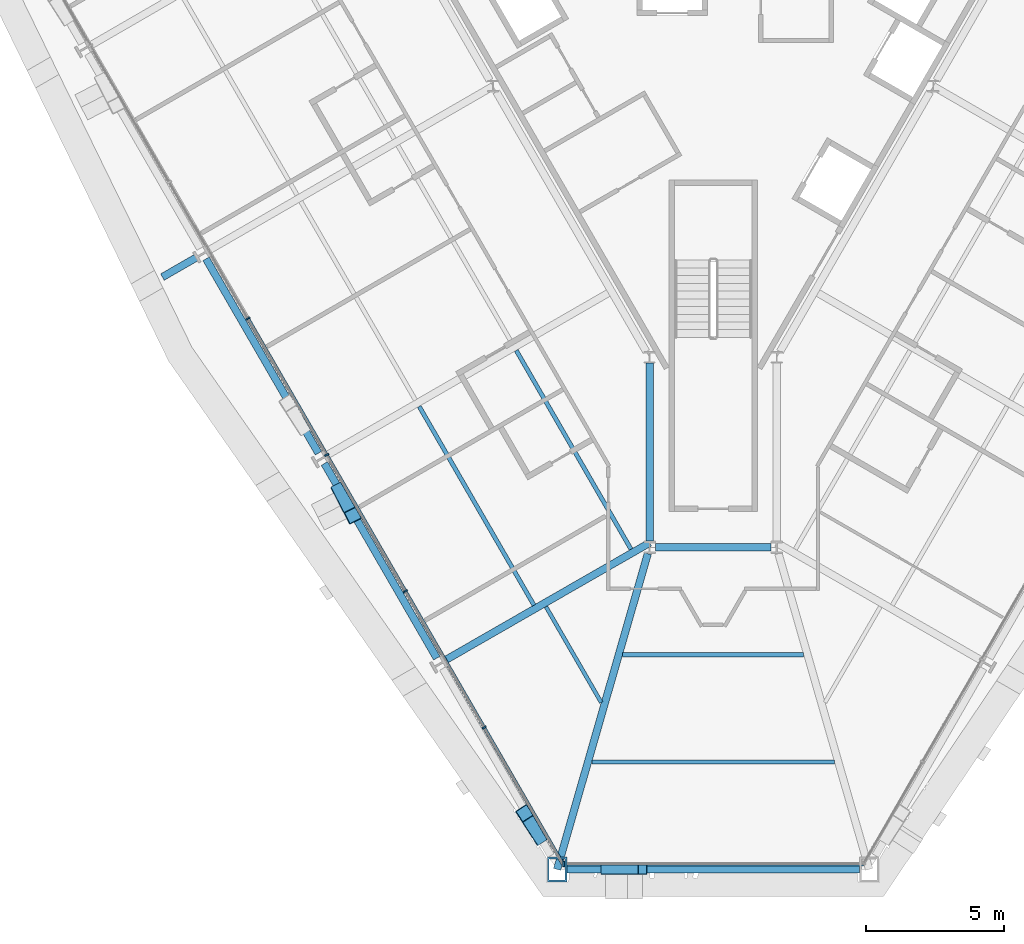
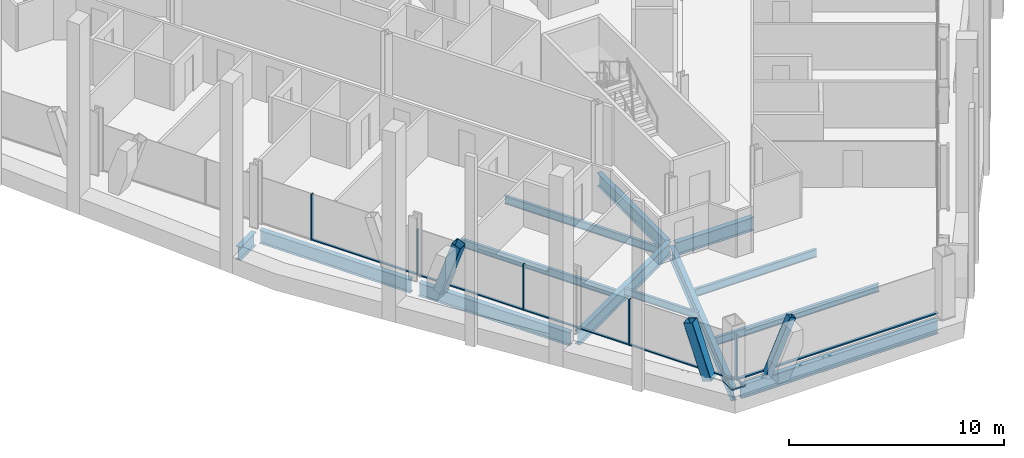
# One storey, part 3 of 21: 14 members, 13 beams, 2 elements without a shape of their own.
"""IFC4 building model written with IfcOpenShell, lengths in metres."""

from ifc_helpers import new_model, si_unit, direction, frame, origin, origin_2d, place, context, subcontext, project, spatial, rectangle, hollow_rectangle, i_section, extrude, material, material_profile, profile_set, type_object, element, aggregate, save


model = new_model("IFC4")

# Units and contexts
model_context = context("Model", 3, precision=1e-05, world=origin(), true_north=direction((0.0, 1.0)))
body_context = subcontext(model_context, "Body", "Model", "MODEL_VIEW")
ifc_project = project(units=[si_unit("LENGTHUNIT", "METRE"), si_unit("AREAUNIT", "SQUARE_METRE"), si_unit("VOLUMEUNIT", "CUBIC_METRE"), si_unit("PLANEANGLEUNIT", "RADIAN"), si_unit("MASSUNIT", "GRAM", prefix="KILO")], contexts=[model_context])

# Site, building, storey
site_placement = place(None, origin())
site = spatial("IfcSite", under=ifc_project, at=site_placement, CompositionType="ELEMENT")
building_placement = place(site_placement, origin())
building = spatial("IfcBuilding", under=site, at=building_placement, Name="Verrane Prism Tower", CompositionType="ELEMENT")
storey_placement = place(building_placement, frame((0.0, 0.0, 65.60009765625)))
storey = spatial("IfcBuildingStorey", under=building, at=storey_placement, Name="L14", CompositionType="ELEMENT", Elevation=65.60009765625)

# Member
ifc_material_1 = material(Name="Steel A500 Grade C", Category="steel")
ifc_material_profile_1 = material_profile(ifc_material_1, hollow_rectangle(XDim=0.355712890625, YDim=0.355712890625, WallThickness=0.0126953125, InnerFilletRadius=0.00634765625, OuterFilletRadius=0.01904296875, at=origin_2d()), Name="HSS14x14x1/2")
ifc_profile_set_1 = profile_set([ifc_material_profile_1], Name="Steel A500 Grade C")
member_type_1 = type_object("IfcMemberType", Name="Chamfer brace HSS14x14x1/2", PredefinedType="BRACE", material=ifc_profile_set_1)
member_1_placement = place(storey_placement, frame((-3.90185546875, -32.9599609375, -0.2451171875), z_axis=(0.409130455013, 0.0, 0.91247590148), x_axis=(0.0, 1.0, 0.0)))
element("IfcMember", 1, at=member_1_placement, inside=storey, type_object=member_type_1, Name="Chamfer brace S0 L14", PredefinedType="BRACE", context=body_context, shape_type="SweptSolid", body=[
    extrude(hollow_rectangle(XDim=0.355712890625, YDim=0.355712890625, WallThickness=0.0126953125, InnerFilletRadius=0.00634765625, OuterFilletRadius=0.01904296875, at=origin_2d()), origin(), (0.0, 0.0, 1.0), 3.291015625),
])

# Beams
ifc_material_2 = material(Name="Steel A992", Category="steel")
ifc_material_profile_2 = material_profile(ifc_material_2, i_section(OverallWidth=0.2666015625, OverallDepth=0.76708984375, WebThickness=0.014892578125, FlangeThickness=0.023681640625, FilletRadius=0.0166015625, at=origin_2d()), Name="W30x124")
ifc_profile_set_2 = profile_set([ifc_material_profile_2], Name="Steel A992")
beam_type_1 = type_object("IfcBeamType", Name="Chamfer spandrel beam W30x124", PredefinedType="SPANDREL", material=ifc_profile_set_2)
beam_1_placement = place(storey_placement, frame((-5.300048828125, -32.9599609375, -0.543701171875), z_axis=(1.0, 0.0, 0.0), x_axis=(0.0, 1.0, 0.0)))
element("IfcBeam", 2, at=beam_1_placement, inside=storey, type_object=beam_type_1, Name="Chamfer spandrel beam L14", PredefinedType="SPANDREL", context=body_context, shape_type="SweptSolid", body=[
    extrude(i_section(OverallWidth=0.2666015625, OverallDepth=0.76708984375, WebThickness=0.014892578125, FlangeThickness=0.023681640625, FilletRadius=0.0166015625, at=origin_2d()), origin(), (0.0, 0.0, 1.0), 10.60009765625),
])
ifc_material_3 = material(Name="Steel A992", Category="steel")
ifc_material_profile_3 = material_profile(ifc_material_3, i_section(OverallWidth=0.2666015625, OverallDepth=0.7568359375, WebThickness=0.013916015625, FlangeThickness=0.019287109375, FilletRadius=0.0166015625, at=origin_2d()), Name="W30x108")
ifc_profile_set_3 = profile_set([ifc_material_profile_3], Name="Steel A992")
beam_type_2 = type_object("IfcBeamType", Name="Core ring girder W30x108", PredefinedType="BEAM", material=ifc_profile_set_3)
beam_2_placement = place(storey_placement, frame((-2.300048828125, -14.62841796875, -0.628662109375), z_axis=(0.0, -1.0, 0.0), x_axis=(1.0, 0.0, 0.0)))
element("IfcBeam", 3, at=beam_2_placement, inside=storey, type_object=beam_type_2, Name="Core ring girder L14", PredefinedType="BEAM", context=body_context, shape_type="SweptSolid", body=[
    extrude(i_section(OverallWidth=0.2666015625, OverallDepth=0.7568359375, WebThickness=0.013916015625, FlangeThickness=0.019287109375, FilletRadius=0.0166015625, at=origin_2d()), origin(), (0.0, 0.0, 1.0), 6.4443359375),
])
beam_3_placement = place(storey_placement, frame((-2.09033203125, -21.300048828125, -0.628662109375), z_axis=(1.0, 0.0, 0.0), x_axis=(0.0, 1.0, 0.0)))
element("IfcBeam", 4, at=beam_3_placement, inside=storey, type_object=beam_type_2, Name="Core ring girder L14", PredefinedType="BEAM", context=body_context, shape_type="SweptSolid", body=[
    extrude(i_section(OverallWidth=0.2666015625, OverallDepth=0.7568359375, WebThickness=0.013916015625, FlangeThickness=0.019287109375, FilletRadius=0.0166015625, at=origin_2d()), origin(), (0.0, 0.0, 1.0), 4.1806640625),
])
ifc_material_4 = material(Name="Steel A992", Category="steel")
ifc_material_profile_4 = material_profile(ifc_material_4, i_section(OverallWidth=0.2666015625, OverallDepth=0.76708984375, WebThickness=0.014892578125, FlangeThickness=0.023681640625, FilletRadius=0.0166015625, at=origin_2d()), Name="W30x124")
ifc_profile_set_4 = profile_set([ifc_material_profile_4], Name="Steel A992")
beam_type_3 = type_object("IfcBeamType", Name="Corner girder W30x124", PredefinedType="BEAM", material=ifc_profile_set_4)
beam_4_placement = place(storey_placement, frame((-5.64892578125, -32.95654296875, -0.603515625), z_axis=(0.276136278025, 0.961118492153, 0.0), x_axis=(-0.961118492153, 0.276136278025, 0.0)))
element("IfcBeam", 5, at=beam_4_placement, inside=storey, type_object=beam_type_3, Name="Corner girder L14", PredefinedType="BEAM", context=body_context, shape_type="SweptSolid", body=[
    extrude(i_section(OverallWidth=0.2666015625, OverallDepth=0.76708984375, WebThickness=0.014892578125, FlangeThickness=0.023681640625, FilletRadius=0.0166015625, at=origin_2d()), origin(), (0.0, 0.0, 1.0), 11.8916015625),
])

# Members
ifc_material_5 = material(Name="Steel A1085 Grade A", Category="steel")
ifc_material_profile_5 = material_profile(ifc_material_5, hollow_rectangle(XDim=0.508056640625, YDim=0.508056640625, WallThickness=0.025390625, InnerFilletRadius=0.0126953125, OuterFilletRadius=0.0380859375, at=origin_2d()), Name="HSS20x20x1")
ifc_profile_set_5 = profile_set([ifc_material_profile_5], Name="Steel A1085 Grade A")
member_type_2 = type_object("IfcMemberType", Name="Facade brace HSS20x20x1", PredefinedType="BRACE", material=ifc_profile_set_5)
member_2_placement = place(storey_placement, frame((-13.51806640625, -19.224365234375, -0.24267578125), z_axis=(0.148660881404, -0.289339970517, 0.945612142372), x_axis=(0.889465940848, 0.45700146616, 0.0)))
element("IfcMember", 6, at=member_2_placement, inside=storey, type_object=member_type_2, Name="Facade brace SW4 L14", PredefinedType="BRACE", context=body_context, shape_type="SweptSolid", body=[
    extrude(hollow_rectangle(XDim=0.508056640625, YDim=0.508056640625, WallThickness=0.025390625, InnerFilletRadius=0.0126953125, OuterFilletRadius=0.0380859375, at=origin_2d()), origin(), (0.0, 0.0, 1.0), 3.18115234375),
])
member_3_placement = place(storey_placement, frame((-6.279541015625, -31.76513671875, -0.24267578125), z_axis=(-0.171660189078, 0.264921960712, 0.948867290098), x_axis=(-0.839223086477, -0.543787284813, 0.0)))
element("IfcMember", 7, at=member_3_placement, inside=storey, type_object=member_type_2, Name="Facade brace SW5 L14", PredefinedType="BRACE", context=body_context, shape_type="SweptSolid", body=[
    extrude(hollow_rectangle(XDim=0.508056640625, YDim=0.508056640625, WallThickness=0.025390625, InnerFilletRadius=0.0126953125, OuterFilletRadius=0.0380859375, at=origin_2d()), origin(), (0.0, 0.0, 1.0), 3.170166015625),
])

# Beams
ifc_material_6 = material(Name="Steel A992", Category="steel")
ifc_material_profile_6 = material_profile(ifc_material_6, i_section(OverallWidth=0.140380859375, OverallDepth=0.40380859375, WebThickness=0.007080078125, FlangeThickness=0.01123046875, FilletRadius=0.01025390625, at=origin_2d()), Name="W16x31")
ifc_profile_set_6 = profile_set([ifc_material_profile_6], Name="Steel A992")
beam_type_4 = type_object("IfcBeamType", Name="Floor beam W16x31", PredefinedType="BEAM", material=ifc_profile_set_6)
beam_5_placement = place(storey_placement, frame((-4.051513671875, -26.91259765625, -0.362060546875), z_axis=(-0.499995658264, 0.866027910472, 0.0), x_axis=(-0.866027910472, -0.499995658264, 0.0)))
element("IfcBeam", 8, at=beam_5_placement, inside=storey, type_object=beam_type_4, Name="Floor beam L14", PredefinedType="BEAM", context=body_context, shape_type="SweptSolid", body=[
    extrude(i_section(OverallWidth=0.140380859375, OverallDepth=0.40380859375, WebThickness=0.007080078125, FlangeThickness=0.01123046875, FilletRadius=0.01025390625, at=origin_2d()), origin(), (0.0, 0.0, 1.0), 3.99658203125),
])
ifc_material_7 = material(Name="Steel A992", Category="steel")
ifc_material_profile_7 = material_profile(ifc_material_7, i_section(OverallWidth=0.15234375, OverallDepth=0.449462890625, WebThickness=0.007568359375, FlangeThickness=0.0107421875, FilletRadius=0.01025390625, at=origin_2d()), Name="W18x35")
ifc_profile_set_7 = profile_set([ifc_material_profile_7], Name="Steel A992")
beam_type_5 = type_object("IfcBeamType", Name="Floor beam W18x35", PredefinedType="BEAM", material=ifc_profile_set_7)
beam_6_placement = place(storey_placement, frame((-2.9736328125, -21.365234375, -0.385009765625), z_axis=(-0.499989616998, 0.866031398331, 0.0), x_axis=(-0.866031398331, -0.499989616998, 0.0)))
element("IfcBeam", 9, at=beam_6_placement, inside=storey, type_object=beam_type_5, Name="Floor beam L14", PredefinedType="BEAM", context=body_context, shape_type="SweptSolid", body=[
    extrude(i_section(OverallWidth=0.15234375, OverallDepth=0.449462890625, WebThickness=0.007568359375, FlangeThickness=0.0107421875, FilletRadius=0.01025390625, at=origin_2d()), origin(), (0.0, 0.0, 1.0), 8.305908203125),
])
beam_7_placement = place(storey_placement, frame((-6.4853515625, -23.394775390625, -0.385009765625), z_axis=(-0.50000392623, 0.866023136963, 0.0), x_axis=(-0.866023136963, -0.50000392623, 0.0)))
element("IfcBeam", 10, at=beam_7_placement, inside=storey, type_object=beam_type_5, Name="Floor beam L14", PredefinedType="BEAM", context=body_context, shape_type="SweptSolid", body=[
    extrude(i_section(OverallWidth=0.15234375, OverallDepth=0.449462890625, WebThickness=0.007568359375, FlangeThickness=0.0107421875, FilletRadius=0.01025390625, at=origin_2d()), origin(), (0.0, 0.0, 1.0), 8.30908203125),
])
beam_8_placement = place(storey_placement, frame((-4.394287109375, -29.0732421875, -0.385009765625), z_axis=(1.0, 0.0, 0.0), x_axis=(0.0, 1.0, 0.0)))
element("IfcBeam", 11, at=beam_8_placement, inside=storey, type_object=beam_type_5, Name="Floor beam L14", PredefinedType="BEAM", context=body_context, shape_type="SweptSolid", body=[
    extrude(i_section(OverallWidth=0.15234375, OverallDepth=0.449462890625, WebThickness=0.007568359375, FlangeThickness=0.0107421875, FilletRadius=0.01025390625, at=origin_2d()), origin(), (0.0, 0.0, 1.0), 8.78857421875),
])
beam_9_placement = place(storey_placement, frame((-3.27783203125, -25.186767578125, -0.385009765625), z_axis=(1.0, 0.0, 0.0), x_axis=(0.0, 1.0, 0.0)))
element("IfcBeam", 12, at=beam_9_placement, inside=storey, type_object=beam_type_5, Name="Floor beam L14", PredefinedType="BEAM", context=body_context, shape_type="SweptSolid", body=[
    extrude(i_section(OverallWidth=0.15234375, OverallDepth=0.449462890625, WebThickness=0.007568359375, FlangeThickness=0.0107421875, FilletRadius=0.01025390625, at=origin_2d()), origin(), (0.0, 0.0, 1.0), 6.5556640625),
])

# Member
ifc_material_8 = material(Name="Steel A572 Grade 50", Category="steel")
ifc_material_profile_8 = material_profile(ifc_material_8, hollow_rectangle(XDim=0.699951171875, YDim=0.89990234375, WallThickness=0.06494140625, at=origin_2d()), Name="BOX 900x700x65")
ifc_profile_set_8 = profile_set([ifc_material_profile_8], Name="Steel A572 Grade 50")
member_type_3 = type_object("IfcMemberType", Name="Kink node BOX 900x700x65", PredefinedType="COLLAR", material=ifc_profile_set_8)
member_4_placement = place(storey_placement, frame((-5.64892578125, -32.958251953125, -0.0400390625), z_axis=(0.0, 0.0, 1.0), x_axis=(-1.0, 0.0, 0.0)))
element("IfcMember", 13, at=member_4_placement, inside=storey, type_object=member_type_3, Name="Kink node MC3 L14", PredefinedType="COLLAR", context=body_context, shape_type="SweptSolid", body=[
    extrude(hollow_rectangle(XDim=0.699951171875, YDim=0.89990234375, WallThickness=0.06494140625, at=origin_2d()), origin(), (0.0, 0.0, 1.0), 0.079833984375),
])

# Curtain wall, members
ifc_material_9 = material(Name="Aluminium framed insulated glazing", Category="aluminium")
curtain_wall_type_1 = type_object("IfcCurtainWallType", Name="Curtain wall CW-B 5600 module", PredefinedType="NOTDEFINED", material=ifc_material_9)
curtain_wall_1_placement = place(storey_placement, origin())
curtain_wall_1 = element("IfcCurtainWall", 14, at=curtain_wall_1_placement, inside=storey, type_object=curtain_wall_type_1, Name="Glazed curtain wall south-west face L14", PredefinedType="NOTDEFINED")
ifc_material_10 = material(Name="Aluminium alloy 6063-T6", Category="aluminium")
ifc_material_profile_9 = material_profile(ifc_material_10, rectangle(XDim=0.159912109375, YDim=0.06005859375, at=origin_2d()), Name="Mullion 60x160 aluminium")
ifc_profile_set_9 = profile_set([ifc_material_profile_9], Name="Aluminium alloy 6063-T6")
member_type_4 = type_object("IfcMemberType", Name="Mullion 60x160 aluminium", PredefinedType="MULLION", material=ifc_profile_set_9)
member_5_placement = place(storey_placement, frame((-16.84033203125, -13.013671875, 0.0), z_axis=(0.0, 0.0, 1.0), x_axis=(0.866025283147, 0.50000020895, 0.0)))
member_5 = element("IfcMember", 15, at=member_5_placement, type_object=member_type_4, Name="CW14.4 mullion 6", PredefinedType="MULLION", context=body_context, shape_type="SweptSolid", body=[
    extrude(rectangle(XDim=0.159912109375, YDim=0.06005859375, at=origin_2d()), origin(), (0.0, 0.0, 1.0), 2.61279296875),
])
member_6_placement = place(storey_placement, frame((-13.990478515625, -17.94970703125, 0.0), z_axis=(0.0, 0.0, 1.0), x_axis=(0.866025283147, 0.50000020895, 0.0)))
member_6 = element("IfcMember", 16, at=member_6_placement, type_object=member_type_4, Name="CW14.4 mullion 7", PredefinedType="MULLION", context=body_context, shape_type="SweptSolid", body=[
    extrude(rectangle(XDim=0.159912109375, YDim=0.06005859375, at=origin_2d()), origin(), (0.0, 0.0, 1.0), 2.61279296875),
])
member_7_placement = place(storey_placement, frame((-11.140625, -22.8857421875, 0.0), z_axis=(0.0, 0.0, 1.0), x_axis=(0.866025283147, 0.50000020895, 0.0)))
member_7 = element("IfcMember", 17, at=member_7_placement, type_object=member_type_4, Name="CW14.4 mullion 8", PredefinedType="MULLION", context=body_context, shape_type="SweptSolid", body=[
    extrude(rectangle(XDim=0.159912109375, YDim=0.06005859375, at=origin_2d()), origin(), (0.0, 0.0, 1.0), 2.61279296875),
])
member_8_placement = place(storey_placement, frame((-8.290771484375, -27.82177734375, 0.0), z_axis=(0.0, 0.0, 1.0), x_axis=(0.866025283147, 0.50000020895, 0.0)))
member_8 = element("IfcMember", 18, at=member_8_placement, type_object=member_type_4, Name="CW14.4 mullion 9", PredefinedType="MULLION", context=body_context, shape_type="SweptSolid", body=[
    extrude(rectangle(XDim=0.159912109375, YDim=0.06005859375, at=origin_2d()), origin(), (0.0, 0.0, 1.0), 2.61279296875),
])

# Curtain wall, member
ifc_material_11 = material(Name="Aluminium framed insulated glazing", Category="aluminium")
curtain_wall_type_2 = type_object("IfcCurtainWallType", Name="Curtain wall CW-A 8400 module", PredefinedType="NOTDEFINED", material=ifc_material_11)
curtain_wall_2_placement = place(storey_placement, origin())
curtain_wall_2 = element("IfcCurtainWall", 19, at=curtain_wall_2_placement, inside=storey, type_object=curtain_wall_type_2, Name="Glazed curtain wall south corner L14", PredefinedType="NOTDEFINED")
ifc_material_12 = material(Name="Aluminium alloy 6063-T6", Category="aluminium")
ifc_material_profile_10 = material_profile(ifc_material_12, rectangle(XDim=0.199951171875, YDim=0.070068359375, at=origin_2d()), Name="Mullion 70x200 aluminium")
ifc_profile_set_10 = profile_set([ifc_material_profile_10], Name="Aluminium alloy 6063-T6")
member_type_5 = type_object("IfcMemberType", Name="Mullion 70x200 aluminium", PredefinedType="MULLION", material=ifc_profile_set_10)
member_9_placement = place(storey_placement, frame((-5.406005859375, -32.758056640625, 0.0), z_axis=(0.0, 0.0, 1.0), x_axis=(0.0, 1.0, 0.0)))
member_9 = element("IfcMember", 20, at=member_9_placement, type_object=member_type_5, Name="CW14.5 mullion 1", PredefinedType="MULLION", context=body_context, shape_type="SweptSolid", body=[
    extrude(rectangle(XDim=0.199951171875, YDim=0.070068359375, at=origin_2d()), origin(), (0.0, 0.0, 1.0), 2.61279296875),
])

# Beams
ifc_material_13 = material(Name="Steel A992", Category="steel")
ifc_material_profile_11 = material_profile(ifc_material_13, i_section(OverallWidth=0.2666015625, OverallDepth=0.76708984375, WebThickness=0.014892578125, FlangeThickness=0.023681640625, FilletRadius=0.0166015625, at=origin_2d()), Name="W30x124")
ifc_profile_set_11 = profile_set([ifc_material_profile_11], Name="Steel A992")
beam_type_6 = type_object("IfcBeamType", Name="Radial girder W30x124", PredefinedType="BEAM", material=ifc_profile_set_11)
beam_10_placement = place(storey_placement, frame((-9.680419921875, -25.373779296875, -0.603515625), z_axis=(0.867144817989, 0.498056085833, 0.0), x_axis=(-0.498056085833, 0.867144817989, 0.0)))
element("IfcBeam", 21, at=beam_10_placement, inside=storey, type_object=beam_type_6, Name="Radial girder L14", PredefinedType="BEAM", context=body_context, shape_type="SweptSolid", body=[
    extrude(i_section(OverallWidth=0.2666015625, OverallDepth=0.76708984375, WebThickness=0.014892578125, FlangeThickness=0.023681640625, FilletRadius=0.0166015625, at=origin_2d()), origin(), (0.0, 0.0, 1.0), 8.51123046875),
])
beam_11_placement = place(storey_placement, frame((-18.677978515625, -10.787109375, -0.603515625), z_axis=(-0.866076608864, -0.499911299711, 0.0), x_axis=(0.499911299711, -0.866076608864, 0.0)))
element("IfcBeam", 22, at=beam_11_placement, inside=storey, type_object=beam_type_6, Name="Cantilever girder L14", PredefinedType="BEAM", context=body_context, shape_type="SweptSolid", body=[
    extrude(i_section(OverallWidth=0.2666015625, OverallDepth=0.76708984375, WebThickness=0.014892578125, FlangeThickness=0.023681640625, FilletRadius=0.0166015625, at=origin_2d()), origin(), (0.0, 0.0, 1.0), 1.454833984375),
])
ifc_material_14 = material(Name="Steel A992", Category="steel")
ifc_material_profile_12 = material_profile(ifc_material_14, i_section(OverallWidth=0.2666015625, OverallDepth=0.7568359375, WebThickness=0.013916015625, FlangeThickness=0.019287109375, FilletRadius=0.0166015625, at=origin_2d()), Name="W30x108")
ifc_profile_set_12 = profile_set([ifc_material_profile_12], Name="Steel A992")
beam_type_7 = type_object("IfcBeamType", Name="Spandrel beam W30x108", PredefinedType="SPANDREL", material=ifc_profile_set_12)
beam_12_placement = place(storey_placement, frame((-18.35791015625, -10.8515625, -0.53857421875), z_axis=(0.500524755063, -0.865722224255, 0.0), x_axis=(0.865722224255, 0.500524755063, 0.0)))
element("IfcBeam", 23, at=beam_12_placement, inside=storey, type_object=beam_type_7, Name="Spandrel beam L14", PredefinedType="SPANDREL", context=body_context, shape_type="SweptSolid", body=[
    extrude(i_section(OverallWidth=0.2666015625, OverallDepth=0.7568359375, WebThickness=0.013916015625, FlangeThickness=0.019287109375, FilletRadius=0.0166015625, at=origin_2d()), origin(), (0.0, 0.0, 1.0), 8.129150390625),
])
beam_13_placement = place(storey_placement, frame((-14.072998046875, -18.26318359375, -0.53857421875), z_axis=(0.499991669817, -0.866030213165, 0.0), x_axis=(0.866030213165, 0.499991669817, 0.0)))
element("IfcBeam", 24, at=beam_13_placement, inside=storey, type_object=beam_type_7, Name="Spandrel beam L14", PredefinedType="SPANDREL", context=body_context, shape_type="SweptSolid", body=[
    extrude(i_section(OverallWidth=0.2666015625, OverallDepth=0.7568359375, WebThickness=0.013916015625, FlangeThickness=0.019287109375, FilletRadius=0.0166015625, at=origin_2d()), origin(), (0.0, 0.0, 1.0), 8.137939453125),
])

# Member
ifc_material_15 = material(Name="Aluminium alloy 6063-T6", Category="aluminium")
ifc_material_profile_13 = material_profile(ifc_material_15, rectangle(XDim=0.1201171875, YDim=0.06005859375, at=origin_2d()), Name="Transom 60x120 aluminium")
ifc_profile_set_13 = profile_set([ifc_material_profile_13], Name="Aluminium alloy 6063-T6")
member_type_6 = type_object("IfcMemberType", Name="Transom 60x120 aluminium", PredefinedType="USERDEFINED", material=ifc_profile_set_13)
member_10_placement = place(storey_placement, frame((-16.825439453125, -13.03955078125, 0.02978515625), z_axis=(0.500003502126, -0.866023381821, 0.0), x_axis=(0.866023381821, 0.500003502126, 0.0)))
member_10 = element("IfcMember", 25, at=member_10_placement, type_object=member_type_6, Name="CW14.4 transom 6", ObjectType="TRANSOM", PredefinedType="USERDEFINED", context=body_context, shape_type="SweptSolid", body=[
    extrude(rectangle(XDim=0.1201171875, YDim=0.06005859375, at=origin_2d()), origin(), (0.0, 0.0, 1.0), 5.6396484375),
])

member_11_placement = place(storey_placement, frame((-13.9755859375, -17.9755859375, 0.02978515625), z_axis=(0.500017223503, -0.866015459562, 0.0), x_axis=(0.866015459562, 0.500017223503, 0.0)))
member_11 = element("IfcMember", 26, at=member_11_placement, type_object=member_type_6, Name="CW14.4 transom 7", ObjectType="TRANSOM", PredefinedType="USERDEFINED", context=body_context, shape_type="SweptSolid", body=[
    extrude(rectangle(XDim=0.1201171875, YDim=0.06005859375, at=origin_2d()), origin(), (0.0, 0.0, 1.0), 5.639892578125),
])

member_12_placement = place(storey_placement, frame((-11.125732421875, -22.911865234375, 0.02978515625), z_axis=(0.50003596868, -0.866004636261, 0.0), x_axis=(0.866004636261, 0.50003596868, 0.0)))
member_12 = element("IfcMember", 27, at=member_12_placement, type_object=member_type_6, Name="CW14.4 transom 8", ObjectType="TRANSOM", PredefinedType="USERDEFINED", context=body_context, shape_type="SweptSolid", body=[
    extrude(rectangle(XDim=0.1201171875, YDim=0.06005859375, at=origin_2d()), origin(), (0.0, 0.0, 1.0), 5.6396484375),
])

member_13_placement = place(storey_placement, frame((-8.27587890625, -27.847900390625, 0.02978515625), z_axis=(0.500010702031, -0.866019224876, 0.0), x_axis=(0.866019224876, 0.500010702031, 0.0)))
member_13 = element("IfcMember", 28, at=member_13_placement, type_object=member_type_6, Name="CW14.4 transom 9", ObjectType="TRANSOM", PredefinedType="USERDEFINED", context=body_context, shape_type="SweptSolid", body=[
    extrude(rectangle(XDim=0.1201171875, YDim=0.06005859375, at=origin_2d()), origin(), (0.0, 0.0, 1.0), 5.669921875),
])

aggregate(curtain_wall_1, [member_5, member_6, member_7, member_8, member_10, member_11, member_12, member_13])

ifc_material_16 = material(Name="Aluminium alloy 6063-T6", Category="aluminium")
ifc_material_profile_14 = material_profile(ifc_material_16, rectangle(XDim=0.14990234375, YDim=0.070068359375, at=origin_2d()), Name="Transom 70x150 aluminium")
ifc_profile_set_14 = profile_set([ifc_material_profile_14], Name="Aluminium alloy 6063-T6")
member_type_7 = type_object("IfcMemberType", Name="Transom 70x150 aluminium", PredefinedType="USERDEFINED", material=ifc_profile_set_14)
member_14_placement = place(storey_placement, frame((-5.370849609375, -32.758056640625, 0.034912109375), z_axis=(1.0, 0.0, 0.0), x_axis=(0.0, 1.0, 0.0)))
member_14 = element("IfcMember", 29, at=member_14_placement, type_object=member_type_7, Name="CW14.5 transom 1", ObjectType="TRANSOM", PredefinedType="USERDEFINED", context=body_context, shape_type="SweptSolid", body=[
    extrude(rectangle(XDim=0.14990234375, YDim=0.070068359375, at=origin_2d()), origin(), (0.0, 0.0, 1.0), 10.811767578125),
])

aggregate(curtain_wall_2, [member_9, member_14])

save(model, "model.ifc")
